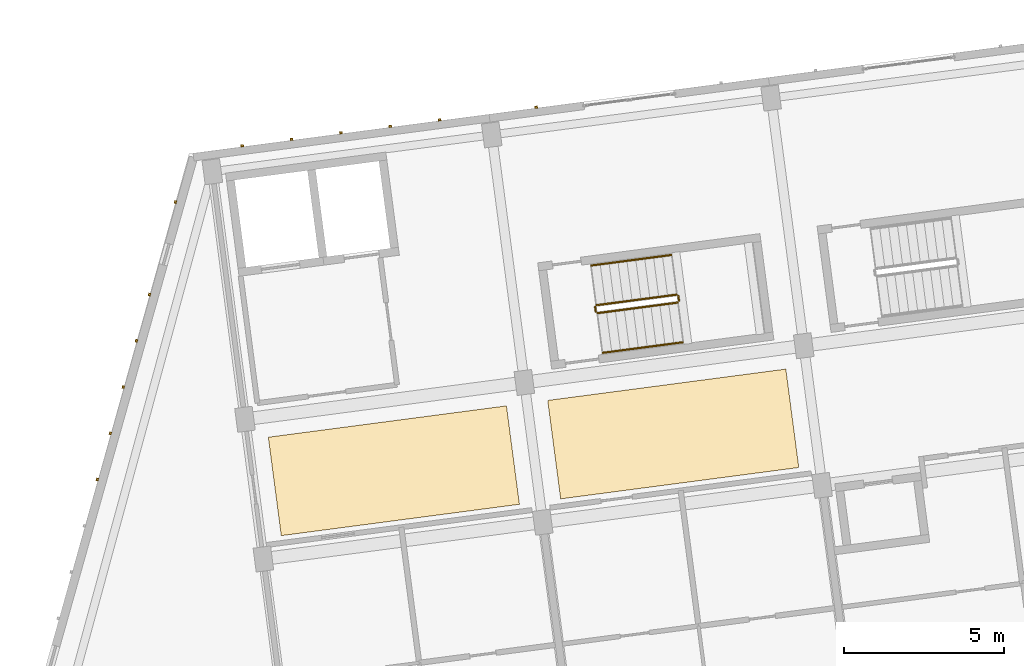
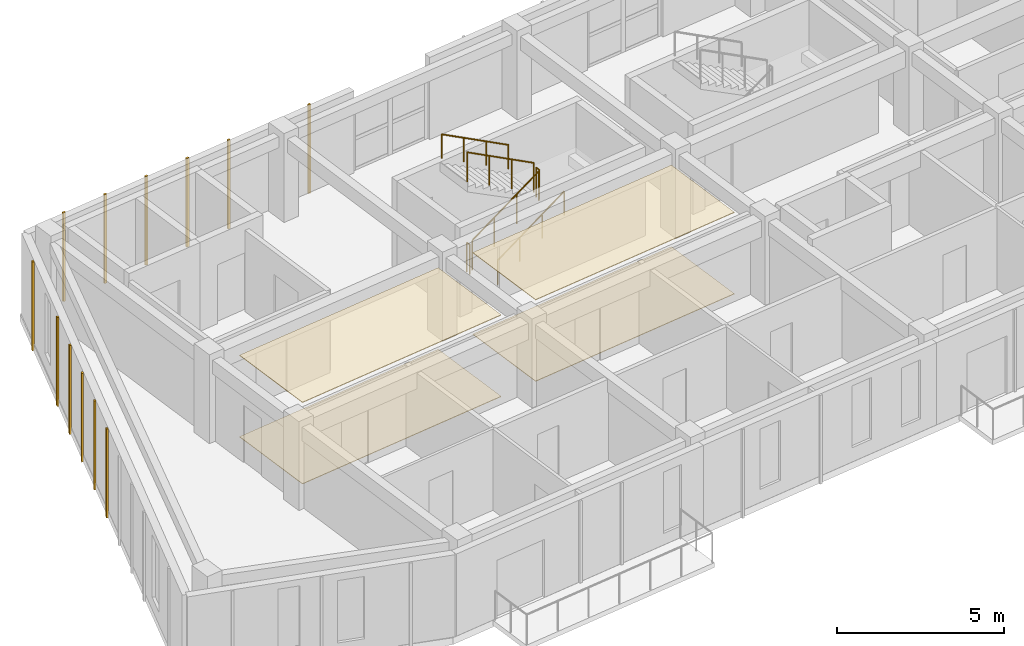
# One storey, part 42 of 65: 16 coverings, 6 railings.
"""IFC4 building model written with IfcOpenShell, lengths in metres."""

from ifc_helpers import new_model, si_unit, direction, frame, origin, origin_2d, place, context, subcontext, project, spatial, polyline, rectangle, circle, outline, extrude, material, layer, layer_set, type_object, element, save


model = new_model("IFC4")

# Units and contexts
model_context = context("Model", 3, precision=1e-05, world=origin(), true_north=direction((0.0, 1.0)))
body_context = subcontext(model_context, "Body", "Model", "MODEL_VIEW")
ifc_project = project(units=[si_unit("LENGTHUNIT", "METRE"), si_unit("AREAUNIT", "SQUARE_METRE"), si_unit("VOLUMEUNIT", "CUBIC_METRE"), si_unit("PLANEANGLEUNIT", "RADIAN"), si_unit("MASSUNIT", "GRAM", prefix="KILO")], contexts=[model_context])

# Site, building, storey
site_placement = place(None, origin())
site = spatial("IfcSite", under=ifc_project, at=site_placement, CompositionType="ELEMENT")
building_placement = place(site_placement, origin())
building = spatial("IfcBuilding", under=site, at=building_placement, Name="Kestramere Prow Commons", CompositionType="ELEMENT")
storey_placement = place(building_placement, frame((0.0, 0.0, 21.39990234375)))
storey = spatial("IfcBuildingStorey", under=building, at=storey_placement, Name="L06", CompositionType="ELEMENT", Elevation=21.39990234375)

# Coverings
ifc_material_1 = material(Name="Mineral Fibre Acoustic Ceiling Tile")
ifc_layer_1 = layer(ifc_material_1, 0.02490234375)
ifc_layer_set_1 = layer_set([ifc_layer_1], Name="Mineral Fibre Acoustic Ceiling Tile")
covering_type_1 = type_object("IfcCoveringType", Name="COV-CEIL-ACOUSTIC", PredefinedType="CEILING", material=ifc_layer_set_1)
covering_1_placement = place(storey_placement, frame((0.0, 0.0, 2.97509765625)))
element("IfcCovering", 1, at=covering_1_placement, inside=storey, type_object=covering_type_1, Name="Block A L06 Corridor Acoustic Ceiling 1", PredefinedType="CEILING", context=body_context, shape_type="SweptSolid", body=[
    extrude(outline(polyline([(10.741455078125, 80.462646484375), (18.17724609375, 81.44140625), (17.772705078125, 84.514892578125), (10.3369140625, 83.5361328125), (10.741455078125, 80.462646484375)])), origin(), (0.0, 0.0, 1.0), 0.02490234375),
])
covering_2_placement = place(storey_placement, frame((0.0, 0.0, 2.97509765625)))
element("IfcCovering", 2, at=covering_2_placement, inside=storey, type_object=covering_type_1, Name="Block A L06 Corridor Acoustic Ceiling 2", PredefinedType="CEILING", context=body_context, shape_type="SweptSolid", body=[
    extrude(outline(polyline([(19.46630859375, 81.611083984375), (26.902099609375, 82.590087890625), (26.497314453125, 85.66357421875), (19.0615234375, 84.6845703125), (19.46630859375, 81.611083984375)])), origin(), (0.0, 0.0, 1.0), 0.02490234375),
])
ifc_material_2 = material(Name="Weathered Zinc-Titanium Standing-Seam Cladding")
ifc_layer_2 = layer(ifc_material_2, 0.074951171875)
ifc_layer_set_2 = layer_set([ifc_layer_2], Name="Weathered Zinc-Titanium Standing-Seam Cladding")
covering_type_2 = type_object("IfcCoveringType", Name="COV-CLAD-SEAM", PredefinedType="CLADDING", material=ifc_layer_set_2)
for number, where, z_axis, x_axis, name in (
    (3, (9.521484375, 92.635009765625, -0.25), (0.0, 0.0, 1.0), (0.991444861374, 0.13052619222, 0.0), "EW-A-L06-N-0 Standing-Seam Rib 1"),
    (4, (11.062255859375, 92.837890625, -0.25), (0.0, 0.0, 1.0), (0.991444861374, 0.13052619222, 0.0), "EW-A-L06-N-0 Standing-Seam Rib 2"),
    (5, (12.603271484375, 93.040771484375, -0.25), (0.0, 0.0, 1.0), (0.991444861374, 0.13052619222, 0.0), "EW-A-L06-N-0 Standing-Seam Rib 3"),
    (6, (14.14404296875, 93.243408203125, -0.25), (0.0, 0.0, 1.0), (0.991444861374, 0.13052619222, 0.0), "EW-A-L06-N-0 Standing-Seam Rib 4"),
    (7, (15.684814453125, 93.4462890625, -0.25), (0.0, 0.0, 1.0), (0.991444861374, 0.13052619222, 0.0), "EW-A-L06-N-0 Standing-Seam Rib 5"),
    (8, (18.700439453125, 93.843505859375, -0.25), (0.0, 0.0, 1.0), (0.991444861374, 0.13052619222, 0.0), "EW-A-L06-NP-1-L Standing-Seam Rib 1"),
    (9, (4.995849609375, 82.21484375, -0.25), (0.0, 0.0, 1.0), (0.271159911526, 0.962534312314, 0.0), "EW-A-L06-PRW-N Standing-Seam Rib 6"),
    (10, (5.40283203125, 83.6591796875, -0.25), (0.0, 0.0, 1.0), (0.271159911526, 0.962534312314, 0.0), "EW-A-L06-PRW-N Standing-Seam Rib 7"),
    (11, (5.8095703125, 85.103271484375, -0.25), (0.0, 0.0, 1.0), (0.271159911526, 0.962534312314, 0.0), "EW-A-L06-PRW-N Standing-Seam Rib 8"),
    (12, (6.216552734375, 86.547607421875, -0.25), (0.0, 0.0, 1.0), (0.271159911526, 0.962534312314, 0.0), "EW-A-L06-PRW-N Standing-Seam Rib 9"),
    (13, (6.623291015625, 87.991943359375, -0.25), (0.0, 0.0, 1.0), (0.271159911526, 0.962534312314, 0.0), "EW-A-L06-PRW-N Standing-Seam Rib 10"),
    (14, (7.437255859375, 90.880615234375, -0.25), (0.0, 0.0, 1.0), (0.271159911526, 0.962534312314, 0.0), "EW-A-L06-PRW-N Standing-Seam Rib 12"),
):
    element("IfcCovering", number, at=place(storey_placement, frame(where, z_axis=z_axis, x_axis=x_axis)), inside=storey, type_object=covering_type_2, Name=name, PredefinedType="CLADDING", context=body_context, shape_type="SweptSolid", body=[
        extrude(rectangle(XDim=0.0849609375, YDim=0.06494140625, at=origin_2d()), origin(), (0.0, 0.0, 1.0), 3.25),
    ])
ifc_material_3 = material(Name="Honed Cementitious Terrazzo Tile")
ifc_layer_3 = layer(ifc_material_3, 0.02001953125)
ifc_layer_set_3 = layer_set([ifc_layer_3], Name="Honed Cementitious Terrazzo Tile")
covering_type_3 = type_object("IfcCoveringType", Name="COV-FLOOR-TERRAZZO", PredefinedType="FLOORING", material=ifc_layer_set_3)
covering_3_placement = place(storey_placement, origin())
element("IfcCovering", 15, at=covering_3_placement, inside=storey, type_object=covering_type_3, Name="Block A L06 Corridor Terrazzo Flooring 1", PredefinedType="FLOORING", context=body_context, shape_type="SweptSolid", body=[
    extrude(outline(polyline([(10.741455078125, 80.462646484375), (18.17724609375, 81.44140625), (17.772705078125, 84.514892578125), (10.3369140625, 83.5361328125), (10.741455078125, 80.462646484375)])), origin(), (0.0, 0.0, 1.0), 0.02001953125),
])
covering_4_placement = place(storey_placement, origin())
element("IfcCovering", 16, at=covering_4_placement, inside=storey, type_object=covering_type_3, Name="Block A L06 Corridor Terrazzo Flooring 2", PredefinedType="FLOORING", context=body_context, shape_type="SweptSolid", body=[
    extrude(outline(polyline([(19.46630859375, 81.611083984375), (26.902099609375, 82.590087890625), (26.497314453125, 85.66357421875), (19.0615234375, 84.6845703125), (19.46630859375, 81.611083984375)])), origin(), (0.0, 0.0, 1.0), 0.02001953125),
])

# Railings
ifc_material_4 = material(Name="Galvanised Steel S275JR", Category="steel")
railing_type_1 = type_object("IfcRailingType", Name="RL-ST-GR-1100", PredefinedType="GUARDRAIL", material=ifc_material_4)
railing_1_placement = place(storey_placement, frame((20.618896484375, 87.411376953125, 0.16259765625)))
element("IfcRailing", 17, at=railing_1_placement, inside=storey, type_object=railing_type_1, Name="L06 ST-A1 stair guard 1", PredefinedType="GUARDRAIL", context=body_context, shape_type="SweptSolid", body=[
    extrude(circle(Radius=0.02392578125, at=origin_2d()), frame((0.0, 0.0, 1.076171875), z_axis=(0.85752303711, 0.112867259233, 0.501911568525), x_axis=(-0.130494608992, 0.991449018873, 0.0)), (0.0, 0.0, 1.0), 2.91357421875),
    extrude(circle(Radius=0.02099609375, at=origin_2d()), origin(), (0.0, 0.0, 1.0), 1.052001953125),
    extrude(circle(Radius=0.02099609375, at=origin_2d()), frame((0.832763671875, 0.109619140625, 0.487548828125)), (0.0, 0.0, 1.0), 1.052001953125),
    extrude(circle(Radius=0.02099609375, at=origin_2d()), frame((1.665771484375, 0.21923828125, 0.974853515625)), (0.0, 0.0, 1.0), 1.052001953125),
    extrude(circle(Radius=0.02099609375, at=origin_2d()), frame((2.49853515625, 0.328857421875, 1.46240234375)), (0.0, 0.0, 1.0), 1.052001953125),
])
railing_2_placement = place(storey_placement, frame((23.160400390625, 87.79638671875, 1.625)))
element("IfcRailing", 18, at=railing_2_placement, inside=storey, type_object=railing_type_1, Name="L06 ST-A1 stair guard 2", PredefinedType="GUARDRAIL", context=body_context, shape_type="SweptSolid", body=[
    extrude(circle(Radius=0.02392578125, at=origin_2d()), frame((0.0, 0.0, 1.076171875), z_axis=(-0.130243938252, 0.991481979941, 0.0), x_axis=(-0.991481979941, -0.130243938252, 0.0)), (0.0, 0.0, 1.0), 0.14990234375),
    extrude(circle(Radius=0.02099609375, at=origin_2d()), origin(), (0.0, 0.0, 1.0), 1.052001953125),
    extrude(circle(Radius=0.02099609375, at=origin_2d()), frame((-0.01953125, 0.148681640625, 0.0)), (0.0, 0.0, 1.0), 1.052001953125),
])
railing_3_placement = place(storey_placement, frame((23.084716796875, 87.988037109375, 1.78759765625)))
element("IfcRailing", 19, at=railing_3_placement, inside=storey, type_object=railing_type_1, Name="L06 ST-A1 stair guard 3", PredefinedType="GUARDRAIL", context=body_context, shape_type="SweptSolid", body=[
    extrude(circle(Radius=0.02392578125, at=origin_2d()), frame((0.0, 0.0, 1.076171875), z_axis=(-0.857500858922, -0.112875369585, 0.501947634608), x_axis=(0.130507144135, -0.991447368916, 0.0)), (0.0, 0.0, 1.0), 2.91357421875),
    extrude(circle(Radius=0.02099609375, at=origin_2d()), origin(), (0.0, 0.0, 1.0), 1.052001953125),
    extrude(circle(Radius=0.02099609375, at=origin_2d()), frame((-0.832763671875, -0.109619140625, 0.487548828125)), (0.0, 0.0, 1.0), 1.052001953125),
    extrude(circle(Radius=0.02099609375, at=origin_2d()), frame((-1.66552734375, -0.21923828125, 0.974853515625)), (0.0, 0.0, 1.0), 1.052001953125),
    extrude(circle(Radius=0.02099609375, at=origin_2d()), frame((-2.498291015625, -0.328857421875, 1.46240234375)), (0.0, 0.0, 1.0), 1.052001953125),
])
railing_4_placement = place(storey_placement, frame((20.56298828125, 87.454345703125, 0.0)))
element("IfcRailing", 20, at=railing_4_placement, inside=storey, type_object=railing_type_1, Name="L06 ST-A1 stair guard 4", PredefinedType="GUARDRAIL", context=body_context, shape_type="SweptSolid", body=[
    extrude(circle(Radius=0.02392578125, at=origin_2d()), frame((0.0, 0.0, 1.076171875), z_axis=(-0.131843859112, 0.99127049629, 0.0), x_axis=(-0.99127049629, -0.131843859112, 0.0)), (0.0, 0.0, 1.0), 0.14990234375),
    extrude(circle(Radius=0.02099609375, at=origin_2d()), origin(), (0.0, 0.0, 1.0), 1.052001953125),
    extrude(circle(Radius=0.02099609375, at=origin_2d()), frame((-0.019775390625, 0.148681640625, 0.0)), (0.0, 0.0, 1.0), 1.052001953125),
])
ifc_material_5 = material(Name="Stainless Steel 304", Category="steel")
railing_type_2 = type_object("IfcRailingType", Name="RL-ST-HR-900", PredefinedType="HANDRAIL", material=ifc_material_5)
railing_5_placement = place(storey_placement, frame((20.7822265625, 86.171875, 0.3251953125)))
element("IfcRailing", 21, at=railing_5_placement, inside=storey, type_object=railing_type_2, Name="L06 ST-A1 stair handrail 1", PredefinedType="HANDRAIL", context=body_context, shape_type="SweptSolid", body=[
    extrude(circle(Radius=0.02392578125, at=origin_2d()), frame((0.0, 0.0, 0.8759765625), z_axis=(0.857492745196, 0.112958098361, 0.501942885148), x_axis=(-0.130602379397, 0.991434828164, 0.0)), (0.0, 0.0, 1.0), 2.91357421875),
    extrude(circle(Radius=0.02099609375, at=origin_2d()), origin(), (0.0, 0.0, 1.0), 0.851806640625),
    extrude(circle(Radius=0.02099609375, at=origin_2d()), frame((0.832763671875, 0.109619140625, 0.487548828125)), (0.0, 0.0, 1.0), 0.851806640625),
    extrude(circle(Radius=0.02099609375, at=origin_2d()), frame((1.66552734375, 0.219482421875, 0.974853515625)), (0.0, 0.0, 1.0), 0.851806640625),
    extrude(circle(Radius=0.02099609375, at=origin_2d()), frame((2.498291015625, 0.3291015625, 1.46240234375)), (0.0, 0.0, 1.0), 0.851806640625),
])
railing_6_placement = place(storey_placement, frame((22.921630859375, 89.227294921875, 1.9501953125)))
element("IfcRailing", 22, at=railing_6_placement, inside=storey, type_object=railing_type_2, Name="L06 ST-A1 stair handrail 2", PredefinedType="HANDRAIL", context=body_context, shape_type="SweptSolid", body=[
    extrude(circle(Radius=0.02392578125, at=origin_2d()), frame((0.0, 0.0, 0.8759765625), z_axis=(-0.85752303711, -0.112867259233, 0.501911568525), x_axis=(0.130494608992, -0.991449018873, 0.0)), (0.0, 0.0, 1.0), 2.91357421875),
    extrude(circle(Radius=0.02099609375, at=origin_2d()), origin(), (0.0, 0.0, 1.0), 0.851806640625),
    extrude(circle(Radius=0.02099609375, at=origin_2d()), frame((-0.832763671875, -0.109619140625, 0.487548828125)), (0.0, 0.0, 1.0), 0.851806640625),
    extrude(circle(Radius=0.02099609375, at=origin_2d()), frame((-1.665771484375, -0.21923828125, 0.974853515625)), (0.0, 0.0, 1.0), 0.851806640625),
    extrude(circle(Radius=0.02099609375, at=origin_2d()), frame((-2.49853515625, -0.328857421875, 1.46240234375)), (0.0, 0.0, 1.0), 0.851806640625),
])

save(model, "model.ifc")
